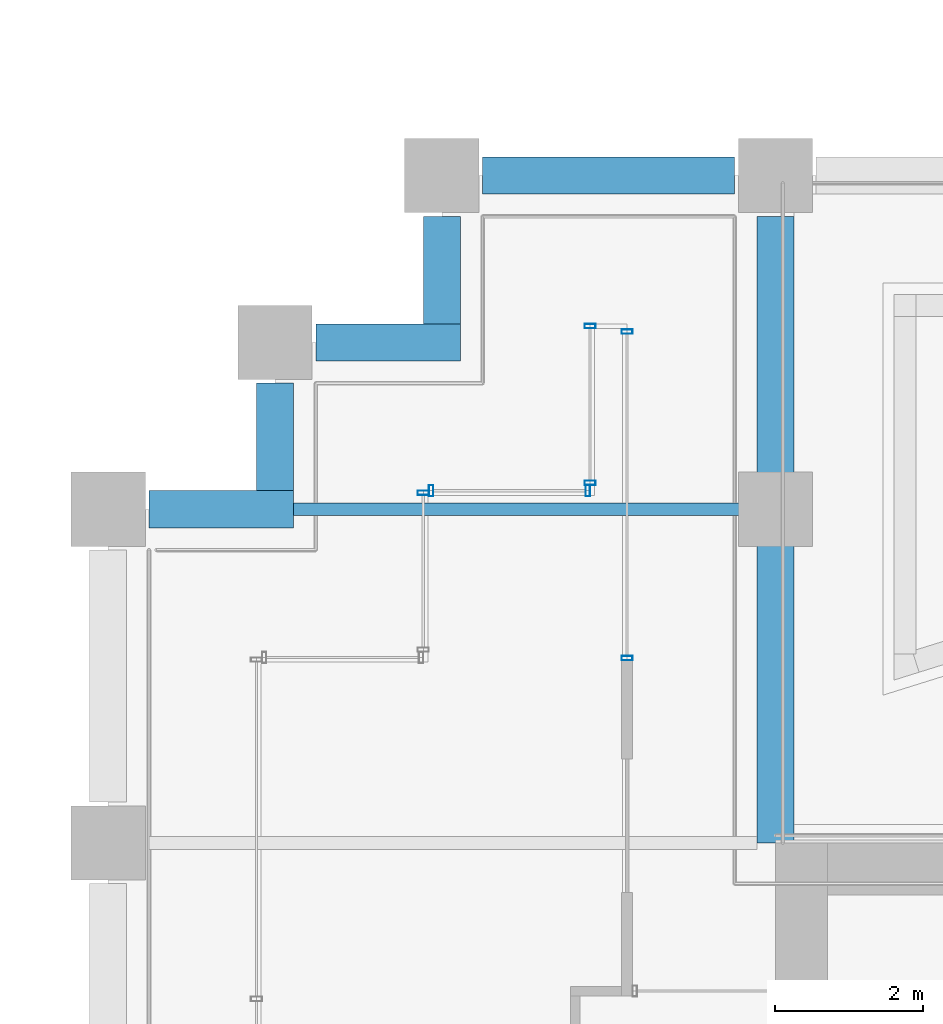
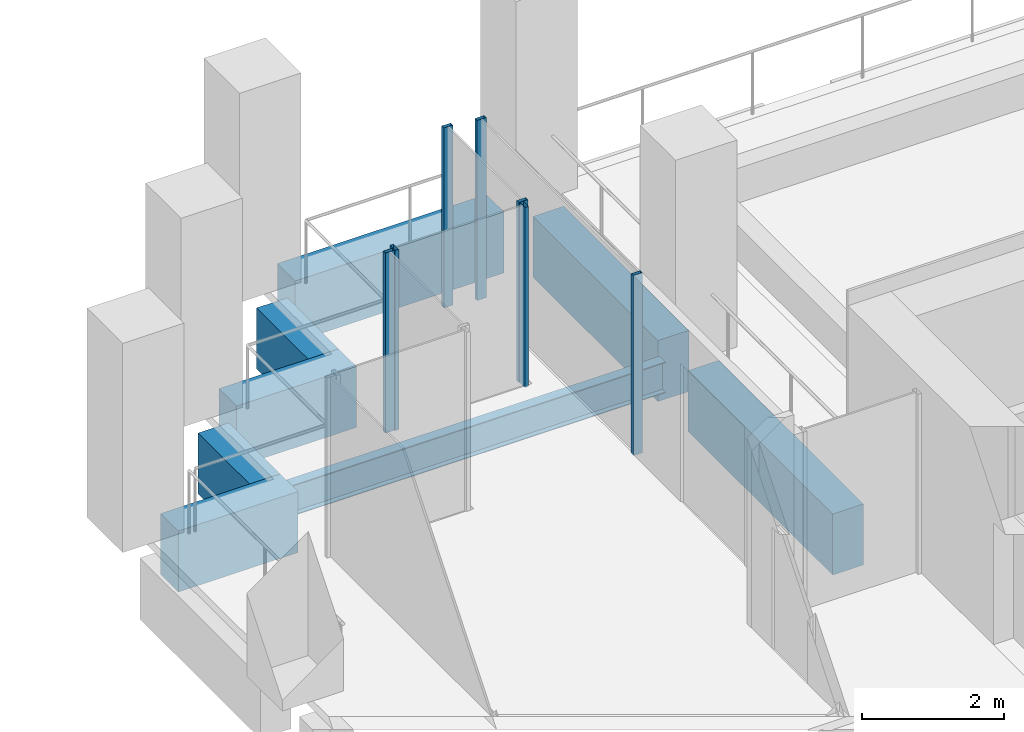
# One storey, part 37 of 52: 8 beams, 7 members, 4 elements without a shape of their own.
"""IFC4 building model written with IfcOpenShell, lengths in metres."""

from ifc_helpers import new_model, si_unit, direction, frame, origin, origin_2d, place, context, subcontext, project, spatial, rectangle, hollow_rectangle, i_section, extrude, material, material_profile, profile_set, type_object, element, aggregate, save


model = new_model("IFC4")

# Units and contexts
model_context = context("Model", 3, precision=1e-05, world=origin(), true_north=direction((0.0, 1.0)))
body_context = subcontext(model_context, "Body", "Model", "MODEL_VIEW")
ifc_project = project(units=[si_unit("LENGTHUNIT", "METRE"), si_unit("AREAUNIT", "SQUARE_METRE"), si_unit("VOLUMEUNIT", "CUBIC_METRE"), si_unit("PLANEANGLEUNIT", "RADIAN"), si_unit("MASSUNIT", "GRAM", prefix="KILO")], contexts=[model_context])

# Site, building, storey
site_placement = place(None, origin())
site = spatial("IfcSite", under=ifc_project, at=site_placement, CompositionType="ELEMENT")
building_placement = place(site_placement, origin())
building = spatial("IfcBuilding", under=site, at=building_placement, Name="Altepetl Exchange Towers", CompositionType="ELEMENT")
storey_placement = place(building_placement, frame((0.0, 0.0, 92.0)))
storey = spatial("IfcBuildingStorey", under=building, at=storey_placement, Name="L22", CompositionType="ELEMENT", Elevation=92.0)

# Beam
ifc_material_1 = material(Name="Steel S355", Category="steel")
ifc_material_profile_1 = material_profile(ifc_material_1, i_section(OverallWidth=0.166015625, OverallDepth=0.529052734375, WebThickness=0.009765625, FlangeThickness=0.013671875, at=origin_2d()), Name="W21X50")
ifc_profile_set_1 = profile_set([ifc_material_profile_1], Name="Steel S355")
beam_type_1 = type_object("IfcBeamType", Name="Floor beam W21X50", PredefinedType="BEAM", material=ifc_profile_set_1)
beam_1_placement = place(storey_placement, frame((97.0, 54.0, -0.41455078125), z_axis=(1.0, 0.0, 0.0), x_axis=(0.0, 1.0, 0.0)))
element("IfcBeam", 1, at=beam_1_placement, inside=storey, type_object=beam_type_1, Name="bm:B:L22:011", PredefinedType="BEAM", context=body_context, shape_type="SweptSolid", body=[
    extrude(i_section(OverallWidth=0.166015625, OverallDepth=0.529052734375, WebThickness=0.009765625, FlangeThickness=0.013671875, at=origin_2d()), origin(), (0.0, 0.0, 1.0), 6.074951171875),
])

# Curtain wall, members
ifc_material_2 = material(Name="Aluminium 6063-T6 glazing", Category="aluminium")
curtain_wall_type = type_object("IfcCurtainWallType", Name="Loggia glazing system", PredefinedType="NOTDEFINED", material=ifc_material_2)
curtain_wall_1_placement = place(storey_placement, origin())
curtain_wall_1 = element("IfcCurtainWall", 2, at=curtain_wall_1_placement, inside=storey, type_object=curtain_wall_type, Name="CW1 run", PredefinedType="NOTDEFINED")
ifc_material_3 = material(Name="Aluminium 6063-T6", Category="aluminium")
ifc_material_profile_2 = material_profile(ifc_material_3, hollow_rectangle(XDim=0.06005859375, YDim=0.14990234375, WallThickness=0.0029296875, at=origin_2d()), Name="Mullion 60x150 aluminium")
ifc_profile_set_2 = profile_set([ifc_material_profile_2], Name="Aluminium 6063-T6")
member_type = type_object("IfcMemberType", Name="Mullion 60x150 aluminium", PredefinedType="MULLION", material=ifc_profile_set_2)
member_1_placement = place(storey_placement, frame((101.5, 51.992431640625, 0.0), z_axis=(0.0, 0.0, 1.0), x_axis=(0.0, 1.0, 0.0)))
member_1 = element("IfcMember", 3, at=member_1_placement, type_object=member_type, Name="MU1 mullion", PredefinedType="MULLION", context=body_context, shape_type="SweptSolid", body=[
    extrude(hollow_rectangle(XDim=0.06005859375, YDim=0.14990234375, WallThickness=0.0029296875, at=origin_2d()), origin(), (0.0, 0.0, 1.0), 3.10009765625),
])
member_2_placement = place(storey_placement, frame((101.5, 56.39501953125, 0.0), z_axis=(0.0, 0.0, 1.0), x_axis=(0.0, 1.0, 0.0)))
member_2 = element("IfcMember", 4, at=member_2_placement, type_object=member_type, Name="MU1 mullion", PredefinedType="MULLION", context=body_context, shape_type="SweptSolid", body=[
    extrude(hollow_rectangle(XDim=0.06005859375, YDim=0.14990234375, WallThickness=0.0029296875, at=origin_2d()), origin(), (0.0, 0.0, 1.0), 3.10009765625),
])
aggregate(curtain_wall_1, [member_1, member_2])

curtain_wall_2_placement = place(storey_placement, origin())
curtain_wall_2 = element("IfcCurtainWall", 5, at=curtain_wall_2_placement, inside=storey, type_object=curtain_wall_type, Name="CW1 run", PredefinedType="NOTDEFINED")
member_3_placement = place(storey_placement, frame((101.0, 56.469970703125, 0.0), z_axis=(0.0, 0.0, 1.0), x_axis=(0.0, -1.0, 0.0)))
member_3 = element("IfcMember", 6, at=member_3_placement, type_object=member_type, Name="MU1 mullion", PredefinedType="MULLION", context=body_context, shape_type="SweptSolid", body=[
    extrude(hollow_rectangle(XDim=0.06005859375, YDim=0.14990234375, WallThickness=0.0029296875, at=origin_2d()), origin(), (0.0, 0.0, 1.0), 3.10009765625),
])
member_4_placement = place(storey_placement, frame((101.0, 54.35498046875, 0.0), z_axis=(0.0, 0.0, 1.0), x_axis=(0.0, -1.0, 0.0)))
member_4 = element("IfcMember", 7, at=member_4_placement, type_object=member_type, Name="MU1 mullion", PredefinedType="MULLION", context=body_context, shape_type="SweptSolid", body=[
    extrude(hollow_rectangle(XDim=0.06005859375, YDim=0.14990234375, WallThickness=0.0029296875, at=origin_2d()), origin(), (0.0, 0.0, 1.0), 3.10009765625),
])
aggregate(curtain_wall_2, [member_3, member_4])

curtain_wall_3_placement = place(storey_placement, origin())
curtain_wall_3 = element("IfcCurtainWall", 8, at=curtain_wall_3_placement, inside=storey, type_object=curtain_wall_type, Name="CW1 run", PredefinedType="NOTDEFINED")
member_5_placement = place(storey_placement, frame((100.969970703125, 54.25, 0.0), z_axis=(0.0, 0.0, 1.0), x_axis=(-1.0, 0.0, 0.0)))
member_5 = element("IfcMember", 9, at=member_5_placement, type_object=member_type, Name="MU1 mullion", PredefinedType="MULLION", context=body_context, shape_type="SweptSolid", body=[
    extrude(hollow_rectangle(XDim=0.06005859375, YDim=0.14990234375, WallThickness=0.0029296875, at=origin_2d()), origin(), (0.0, 0.0, 1.0), 3.10009765625),
])
member_6_placement = place(storey_placement, frame((98.85498046875, 54.25, 0.0), z_axis=(0.0, 0.0, 1.0), x_axis=(-1.0, 0.0, 0.0)))
member_6 = element("IfcMember", 10, at=member_6_placement, type_object=member_type, Name="MU1 mullion", PredefinedType="MULLION", context=body_context, shape_type="SweptSolid", body=[
    extrude(hollow_rectangle(XDim=0.06005859375, YDim=0.14990234375, WallThickness=0.0029296875, at=origin_2d()), origin(), (0.0, 0.0, 1.0), 3.10009765625),
])
aggregate(curtain_wall_3, [member_5, member_6])

# Curtain wall, member
curtain_wall_4_placement = place(storey_placement, origin())
curtain_wall_4 = element("IfcCurtainWall", 11, at=curtain_wall_4_placement, inside=storey, type_object=curtain_wall_type, Name="CW1 run", PredefinedType="NOTDEFINED")
member_7_placement = place(storey_placement, frame((98.75, 54.219970703125, 0.0), z_axis=(0.0, 0.0, 1.0), x_axis=(0.0, -1.0, 0.0)))
member_7 = element("IfcMember", 12, at=member_7_placement, type_object=member_type, Name="MU1 mullion", PredefinedType="MULLION", context=body_context, shape_type="SweptSolid", body=[
    extrude(hollow_rectangle(XDim=0.06005859375, YDim=0.14990234375, WallThickness=0.0029296875, at=origin_2d()), origin(), (0.0, 0.0, 1.0), 3.10009765625),
])
aggregate(curtain_wall_4, [member_7])

# Beams
ifc_material_4 = material(Name="Concrete C50/60 precast with cantera rosa facing", Category="concrete")
ifc_material_profile_3 = material_profile(ifc_material_4, rectangle(XDim=0.5, YDim=1.050048828125, at=origin_2d()), Name="500 x 1050")
ifc_profile_set_3 = profile_set([ifc_material_profile_3], Name="Concrete C50/60 precast with cantera rosa facing")
beam_type_2 = type_object("IfcBeamType", Name="Spandrel beam 500x1050 cantera rosa", PredefinedType="SPANDREL", material=ifc_profile_set_3)
beam_2_placement = place(storey_placement, frame((103.5, 49.5, -0.675048828125), z_axis=(0.0, 1.0, 0.0), x_axis=(-1.0, 0.0, 0.0)))
element("IfcBeam", 13, at=beam_2_placement, inside=storey, type_object=beam_type_2, Name="sp:B:L22:015", PredefinedType="SPANDREL", context=body_context, shape_type="SweptSolid", body=[
    extrude(rectangle(XDim=0.5, YDim=1.050048828125, at=origin_2d()), origin(), (0.0, 0.0, 1.0), 4.074951171875),
])
beam_3_placement = place(storey_placement, frame((103.5, 54.425048828125, -0.675048828125), z_axis=(0.0, 1.0, 0.0), x_axis=(-1.0, 0.0, 0.0)))
element("IfcBeam", 14, at=beam_3_placement, inside=storey, type_object=beam_type_2, Name="sp:B:L22:016", PredefinedType="SPANDREL", context=body_context, shape_type="SweptSolid", body=[
    extrude(rectangle(XDim=0.5, YDim=1.050048828125, at=origin_2d()), origin(), (0.0, 0.0, 1.0), 3.52490234375),
])
beam_4_placement = place(storey_placement, frame((102.949951171875, 58.5, -0.675048828125), z_axis=(-1.0, 0.0, 0.0), x_axis=(0.0, -1.0, 0.0)))
element("IfcBeam", 15, at=beam_4_placement, inside=storey, type_object=beam_type_2, Name="sp:B:L22:017", PredefinedType="SPANDREL", context=body_context, shape_type="SweptSolid", body=[
    extrude(rectangle(XDim=0.5, YDim=1.050048828125, at=origin_2d()), origin(), (0.0, 0.0, 1.0), 3.39990234375),
])
beam_5_placement = place(storey_placement, frame((99.0, 57.949951171875, -0.675048828125), z_axis=(0.0, -1.0, 0.0), x_axis=(1.0, 0.0, 0.0)))
element("IfcBeam", 16, at=beam_5_placement, inside=storey, type_object=beam_type_2, Name="sp:B:L22:018", PredefinedType="SPANDREL", context=body_context, shape_type="SweptSolid", body=[
    extrude(rectangle(XDim=0.5, YDim=1.050048828125, at=origin_2d()), origin(), (0.0, 0.0, 1.0), 1.449951171875),
])
beam_6_placement = place(storey_placement, frame((99.25, 56.25, -0.675048828125), z_axis=(-1.0, 0.0, 0.0), x_axis=(0.0, -1.0, 0.0)))
element("IfcBeam", 17, at=beam_6_placement, inside=storey, type_object=beam_type_2, Name="sp:B:L22:019", PredefinedType="SPANDREL", context=body_context, shape_type="SweptSolid", body=[
    extrude(rectangle(XDim=0.5, YDim=1.050048828125, at=origin_2d()), origin(), (0.0, 0.0, 1.0), 1.949951171875),
])
beam_7_placement = place(storey_placement, frame((96.75, 55.699951171875, -0.675048828125), z_axis=(0.0, -1.0, 0.0), x_axis=(1.0, 0.0, 0.0)))
element("IfcBeam", 18, at=beam_7_placement, inside=storey, type_object=beam_type_2, Name="sp:B:L22:020", PredefinedType="SPANDREL", context=body_context, shape_type="SweptSolid", body=[
    extrude(rectangle(XDim=0.5, YDim=1.050048828125, at=origin_2d()), origin(), (0.0, 0.0, 1.0), 1.449951171875),
])
beam_8_placement = place(storey_placement, frame((97.0, 54.0, -0.675048828125), z_axis=(-1.0, 0.0, 0.0), x_axis=(0.0, -1.0, 0.0)))
element("IfcBeam", 19, at=beam_8_placement, inside=storey, type_object=beam_type_2, Name="sp:B:L22:021", PredefinedType="SPANDREL", context=body_context, shape_type="SweptSolid", body=[
    extrude(rectangle(XDim=0.5, YDim=1.050048828125, at=origin_2d()), origin(), (0.0, 0.0, 1.0), 1.949951171875),
])

save(model, "model.ifc")
